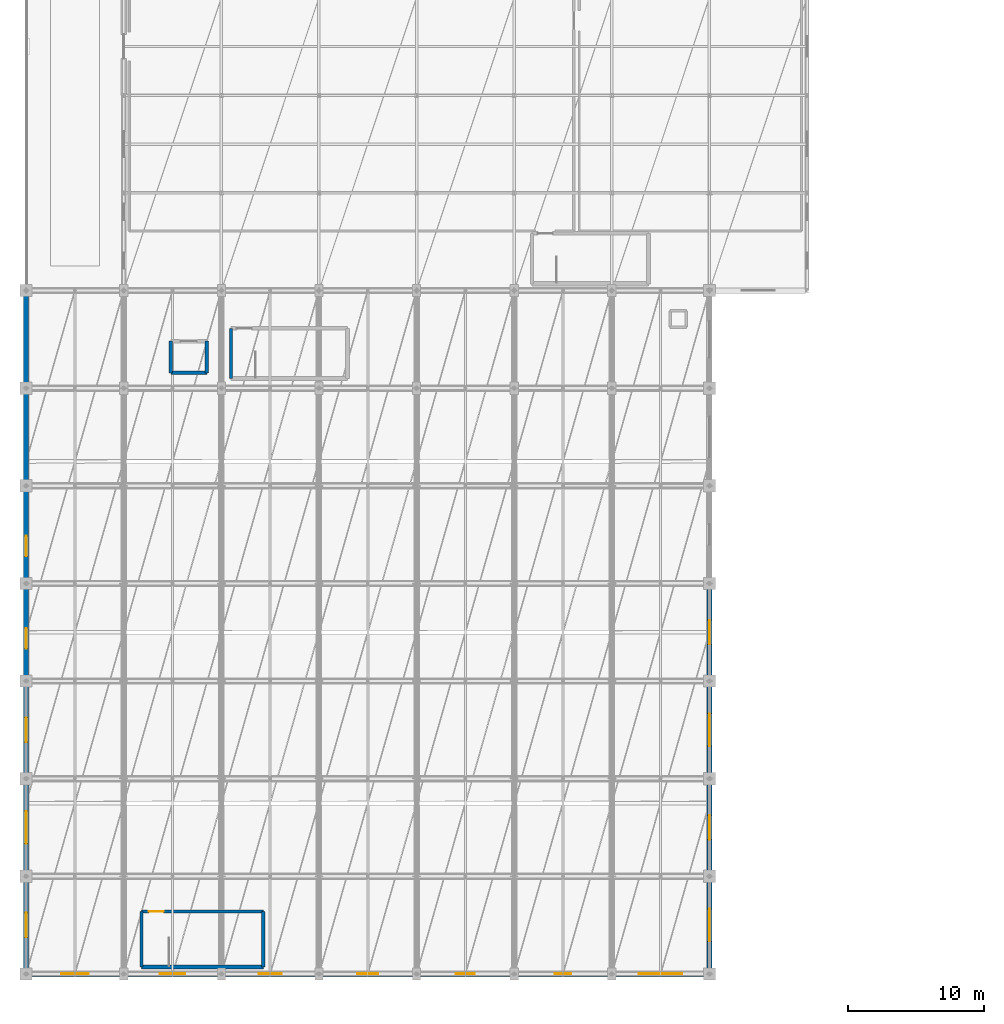
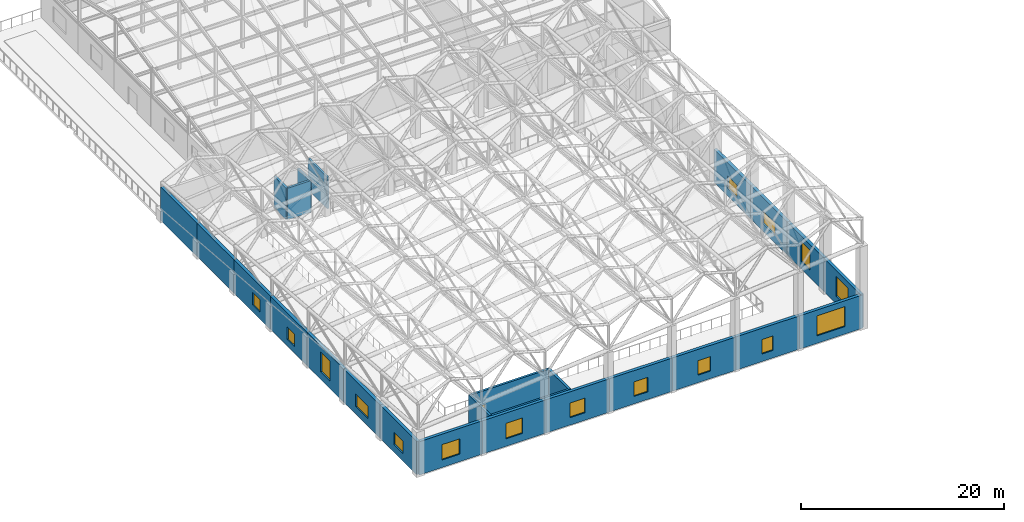
# One storey, part 86 of 113: 26 walls, 16 windows, 1 door, 17 openings.
"""IFC4 building model written with IfcOpenShell, lengths in metres."""

from ifc_helpers import new_model, si_unit, direction, frame, frame_2d, origin, place, context, subcontext, project, spatial, rectangle, extrude, material, layer, layer_set, type_object, element, fill, save


model = new_model("IFC4")

# Units and contexts
model_context = context("Model", 3, precision=1e-05, world=origin(), true_north=direction((0.0, 1.0)))
body_context = subcontext(model_context, "Body", "Model", "MODEL_VIEW")
ifc_project = project(units=[si_unit("LENGTHUNIT", "METRE"), si_unit("AREAUNIT", "SQUARE_METRE"), si_unit("VOLUMEUNIT", "CUBIC_METRE"), si_unit("PLANEANGLEUNIT", "RADIAN"), si_unit("MASSUNIT", "GRAM", prefix="KILO")], contexts=[model_context])

# Site, building, storey
site_placement = place(None, origin())
site = spatial("IfcSite", under=ifc_project, at=site_placement, CompositionType="ELEMENT")
building_placement = place(site_placement, origin())
building = spatial("IfcBuilding", under=site, at=building_placement, Name="Carrowvane Square Congress Hotel", CompositionType="ELEMENT")
storey_placement = place(building_placement, frame((0.0, 0.0, 15.0)))
storey = spatial("IfcBuildingStorey", under=building, at=storey_placement, Name="L03", CompositionType="ELEMENT", Elevation=15.0)

# Wall, opening, window
ifc_material_1 = material(Name="Portland limestone cladding", Category="masonry")
ifc_layer_1 = layer(ifc_material_1, 0.35009765625)
ifc_layer_set_1 = layer_set([ifc_layer_1], Name="Portland limestone cladding")
wall_type_1 = type_object("IfcWallType", Name="WL-EXT-LS350", PredefinedType="STANDARD", material=ifc_layer_set_1)
wall_1_placement = place(storey_placement, frame((11.60009765625, 5.39990234375, 0.0), z_axis=(0.0, 0.0, 1.0), x_axis=(0.0, 1.0, 0.0)))
wall_1 = element("IfcWall", 1, at=wall_1_placement, inside=storey, type_object=wall_type_1, Name="L03 exterior facade wall 336", PredefinedType="STANDARD", context=body_context, shape_type="SweptSolid", body=[
    extrude(rectangle(XDim=7.2001953125, YDim=0.35009765625, at=frame_2d((3.60009765625, 0.0))), origin(), (0.0, 0.0, 1.0), 4.0),
])
opening_1_placement = place(wall_1_placement, frame((2.699951171875, 0.0, 0.89990234375)))
opening_1 = element("IfcOpeningElement", 2, at=opening_1_placement, cuts=wall_1, Name="Opening W-16", PredefinedType="OPENING", context=body_context, shape_type="SweptSolid", body=[
    extrude(rectangle(XDim=1.800048828125, YDim=1.5, at=frame_2d((0.89990234375, 0.75))), frame((0.0, 0.18505859375, 0.0), z_axis=(0.0, -1.0, 0.0), x_axis=(1.0, 0.0, 0.0)), (0.0, 0.0, 1.0), 0.3701171875),
])
ifc_material_2 = material(Name="Double-glazed low-E glass", Category="glass")
window_type_1 = type_object("IfcWindowType", Name="WIN-16", PartitioningType="SINGLE_PANEL", PredefinedType="WINDOW", material=ifc_material_2)
window_1_placement = place(opening_1_placement, origin())
window_1 = element("IfcWindow", 3, at=window_1_placement, inside=storey, type_object=window_type_1, Name="L03 facade window 157", OverallHeight=1.5, OverallWidth=1.800048828125, PartitioningType="SINGLE_PANEL", PredefinedType="WINDOW", context=body_context, shape_type="SweptSolid", body=[
    extrude(rectangle(XDim=1.800048828125, YDim=1.5, at=frame_2d((0.89990234375, 0.75))), frame((0.0, 0.030029296875, 0.0), z_axis=(0.0, -1.0, 0.0), x_axis=(1.0, 0.0, 0.0)), (0.0, 0.0, 1.0), 0.06005859375),
])
fill(opening_1, window_1)

wall_2_placement = place(storey_placement, frame((11.60009765625, 12.60009765625, 0.0), z_axis=(0.0, 0.0, 1.0), x_axis=(0.0, 1.0, 0.0)))
wall_2 = element("IfcWall", 4, at=wall_2_placement, inside=storey, type_object=wall_type_1, Name="L03 exterior facade wall 337", PredefinedType="STANDARD", context=body_context, shape_type="SweptSolid", body=[
    extrude(rectangle(XDim=7.199951171875, YDim=0.35009765625, at=frame_2d((3.60009765625, 0.0))), origin(), (0.0, 0.0, 1.0), 4.0),
])
opening_2_placement = place(wall_2_placement, frame((2.39990234375, 0.0, 0.89990234375)))
opening_2 = element("IfcOpeningElement", 5, at=opening_2_placement, cuts=wall_2, Name="Opening W-17", PredefinedType="OPENING", context=body_context, shape_type="SweptSolid", body=[
    extrude(rectangle(XDim=2.39990234375, YDim=1.5, at=frame_2d((1.199951171875, 0.75))), frame((0.0, 0.18505859375, 0.0), z_axis=(0.0, -1.0, 0.0), x_axis=(1.0, 0.0, 0.0)), (0.0, 0.0, 1.0), 0.3701171875),
])
ifc_material_3 = material(Name="Double-glazed low-E glass", Category="glass")
window_type_2 = type_object("IfcWindowType", Name="WIN-17", PartitioningType="SINGLE_PANEL", PredefinedType="WINDOW", material=ifc_material_3)
window_2_placement = place(opening_2_placement, origin())
window_2 = element("IfcWindow", 6, at=window_2_placement, inside=storey, type_object=window_type_2, Name="L03 facade window 158", OverallHeight=1.5, OverallWidth=2.39990234375, PartitioningType="SINGLE_PANEL", PredefinedType="WINDOW", context=body_context, shape_type="SweptSolid", body=[
    extrude(rectangle(XDim=2.39990234375, YDim=1.5, at=frame_2d((1.199951171875, 0.75))), frame((0.0, 0.030029296875, 0.0), z_axis=(0.0, -1.0, 0.0), x_axis=(1.0, 0.0, 0.0)), (0.0, 0.0, 1.0), 0.06005859375),
])
fill(opening_2, window_2)

wall_3_placement = place(storey_placement, frame((11.60009765625, 19.800048828125, 0.0), z_axis=(0.0, 0.0, 1.0), x_axis=(0.0, 1.0, 0.0)))
wall_3 = element("IfcWall", 7, at=wall_3_placement, inside=storey, type_object=wall_type_1, Name="L03 exterior facade wall 338", PredefinedType="STANDARD", context=body_context, shape_type="SweptSolid", body=[
    extrude(rectangle(XDim=7.199951171875, YDim=0.35009765625, at=frame_2d((3.60009765625, 0.0))), origin(), (0.0, 0.0, 1.0), 4.0),
])
opening_3_placement = place(wall_3_placement, frame((2.699951171875, 0.0, 0.89990234375)))
opening_3 = element("IfcOpeningElement", 8, at=opening_3_placement, cuts=wall_3, Name="Opening W-18", PredefinedType="OPENING", context=body_context, shape_type="SweptSolid", body=[
    extrude(rectangle(XDim=1.800048828125, YDim=2.39990234375, at=frame_2d((0.89990234375, 1.199951171875))), frame((0.0, 0.18505859375, 0.0), z_axis=(0.0, -1.0, 0.0), x_axis=(1.0, 0.0, 0.0)), (0.0, 0.0, 1.0), 0.3701171875),
])
ifc_material_4 = material(Name="Double-glazed low-E glass", Category="glass")
window_type_3 = type_object("IfcWindowType", Name="WIN-18", PartitioningType="SINGLE_PANEL", PredefinedType="WINDOW", material=ifc_material_4)
window_3_placement = place(opening_3_placement, origin())
window_3 = element("IfcWindow", 9, at=window_3_placement, inside=storey, type_object=window_type_3, Name="L03 facade window 159", OverallHeight=2.39990234375, OverallWidth=1.800048828125, PartitioningType="SINGLE_PANEL", PredefinedType="WINDOW", context=body_context, shape_type="SweptSolid", body=[
    extrude(rectangle(XDim=1.800048828125, YDim=2.39990234375, at=frame_2d((0.89990234375, 1.199951171875))), frame((0.0, 0.030029296875, 0.0), z_axis=(0.0, -1.0, 0.0), x_axis=(1.0, 0.0, 0.0)), (0.0, 0.0, 1.0), 0.06005859375),
])
fill(opening_3, window_3)

wall_4_placement = place(storey_placement, frame((11.60009765625, 27.0, 0.0), z_axis=(0.0, 0.0, 1.0), x_axis=(0.0, 1.0, 0.0)))
wall_4 = element("IfcWall", 10, at=wall_4_placement, inside=storey, type_object=wall_type_1, Name="L03 exterior facade wall 339", PredefinedType="STANDARD", context=body_context, shape_type="SweptSolid", body=[
    extrude(rectangle(XDim=7.199951171875, YDim=0.35009765625, at=frame_2d((3.60009765625, 0.0))), origin(), (0.0, 0.0, 1.0), 4.0),
])
opening_4_placement = place(wall_4_placement, frame((2.39990234375, 0.0, 0.800048828125)))
opening_4 = element("IfcOpeningElement", 11, at=opening_4_placement, cuts=wall_4, Name="Opening W-15", PredefinedType="OPENING", context=body_context, shape_type="SweptSolid", body=[
    extrude(rectangle(XDim=1.5, YDim=1.5, at=frame_2d((0.75, 0.75))), frame((0.0, 0.18505859375, 0.0), z_axis=(0.0, -1.0, 0.0), x_axis=(1.0, 0.0, 0.0)), (0.0, 0.0, 1.0), 0.3701171875),
])
ifc_material_5 = material(Name="Double-glazed low-E glass", Category="glass")
window_type_4 = type_object("IfcWindowType", Name="WIN-15", PartitioningType="SINGLE_PANEL", PredefinedType="WINDOW", material=ifc_material_5)
window_4_placement = place(opening_4_placement, origin())
window_4 = element("IfcWindow", 12, at=window_4_placement, inside=storey, type_object=window_type_4, Name="L03 facade window 160", OverallHeight=1.5, OverallWidth=1.5, PartitioningType="SINGLE_PANEL", PredefinedType="WINDOW", context=body_context, shape_type="SweptSolid", body=[
    extrude(rectangle(XDim=1.5, YDim=1.5, at=frame_2d((0.75, 0.75))), frame((0.0, 0.030029296875, 0.0), z_axis=(0.0, -1.0, 0.0), x_axis=(1.0, 0.0, 0.0)), (0.0, 0.0, 1.0), 0.06005859375),
])
fill(opening_4, window_4)

wall_5_placement = place(storey_placement, frame((11.60009765625, 34.199951171875, 0.0), z_axis=(0.0, 0.0, 1.0), x_axis=(0.0, 1.0, 0.0)))
wall_5 = element("IfcWall", 13, at=wall_5_placement, inside=storey, type_object=wall_type_1, Name="L03 exterior facade wall 340", PredefinedType="STANDARD", context=body_context, shape_type="SweptSolid", body=[
    extrude(rectangle(XDim=7.199951171875, YDim=0.35009765625, at=frame_2d((3.60009765625, 0.0))), origin(), (0.0, 0.0, 1.0), 4.0),
])
opening_5_placement = place(wall_5_placement, frame((2.0, 0.0, 0.800048828125)))
opening_5 = element("IfcOpeningElement", 14, at=opening_5_placement, cuts=wall_5, Name="Opening W-15", PredefinedType="OPENING", context=body_context, shape_type="SweptSolid", body=[
    extrude(rectangle(XDim=1.5, YDim=1.5, at=frame_2d((0.75, 0.75))), frame((0.0, 0.18505859375, 0.0), z_axis=(0.0, -1.0, 0.0), x_axis=(1.0, 0.0, 0.0)), (0.0, 0.0, 1.0), 0.3701171875),
])
window_5_placement = place(opening_5_placement, origin())
window_5 = element("IfcWindow", 15, at=window_5_placement, inside=storey, type_object=window_type_4, Name="L03 facade window 161", OverallHeight=1.5, OverallWidth=1.5, PartitioningType="SINGLE_PANEL", PredefinedType="WINDOW", context=body_context, shape_type="SweptSolid", body=[
    extrude(rectangle(XDim=1.5, YDim=1.5, at=frame_2d((0.75, 0.75))), frame((0.0, 0.030029296875, 0.0), z_axis=(0.0, -1.0, 0.0), x_axis=(1.0, 0.0, 0.0)), (0.0, 0.0, 1.0), 0.06005859375),
])
fill(opening_5, window_5)

# Walls
wall_6_placement = place(storey_placement, frame((11.60009765625, 41.39990234375, 0.0), z_axis=(0.0, 0.0, 1.0), x_axis=(0.0, 1.0, 0.0)))
element("IfcWall", 16, at=wall_6_placement, inside=storey, type_object=wall_type_1, Name="L03 exterior facade wall 341", PredefinedType="STANDARD", context=body_context, shape_type="SweptSolid", body=[
    extrude(rectangle(XDim=7.2001953125, YDim=0.35009765625, at=frame_2d((3.60009765625, 0.0))), origin(), (0.0, 0.0, 1.0), 4.0),
])
wall_7_placement = place(storey_placement, frame((11.60009765625, 48.60009765625, 0.0), z_axis=(0.0, 0.0, 1.0), x_axis=(0.0, 1.0, 0.0)))
element("IfcWall", 17, at=wall_7_placement, inside=storey, type_object=wall_type_1, Name="L03 exterior facade wall 342", PredefinedType="STANDARD", context=body_context, shape_type="SweptSolid", body=[
    extrude(rectangle(XDim=7.199951171875, YDim=0.35009765625, at=frame_2d((3.60009765625, 0.0))), origin(), (0.0, 0.0, 1.0), 4.0),
])

# Wall, opening, window
wall_8_placement = place(storey_placement, frame((62.0, 34.199951171875, 0.0), z_axis=(0.0, 0.0, 1.0), x_axis=(0.0, -1.0, 0.0)))
wall_8 = element("IfcWall", 18, at=wall_8_placement, inside=storey, type_object=wall_type_1, Name="L03 exterior facade wall 408", PredefinedType="STANDARD", context=body_context, shape_type="SweptSolid", body=[
    extrude(rectangle(XDim=7.199951171875, YDim=0.35009765625, at=frame_2d((3.60009765625, 0.0))), origin(), (0.0, 0.0, 1.0), 4.0),
])
opening_6_placement = place(wall_8_placement, frame((2.699951171875, 0.0, 0.89990234375)))
opening_6 = element("IfcOpeningElement", 19, at=opening_6_placement, cuts=wall_8, Name="Opening W-16", PredefinedType="OPENING", context=body_context, shape_type="SweptSolid", body=[
    extrude(rectangle(XDim=1.800048828125, YDim=1.5, at=frame_2d((0.89990234375, 0.75))), frame((0.0, 0.18505859375, 0.0), z_axis=(0.0, -1.0, 0.0), x_axis=(1.0, 0.0, 0.0)), (0.0, 0.0, 1.0), 0.3701171875),
])
window_6_placement = place(opening_6_placement, origin())
window_6 = element("IfcWindow", 20, at=window_6_placement, inside=storey, type_object=window_type_1, Name="L03 facade window 240", OverallHeight=1.5, OverallWidth=1.800048828125, PartitioningType="SINGLE_PANEL", PredefinedType="WINDOW", context=body_context, shape_type="SweptSolid", body=[
    extrude(rectangle(XDim=1.800048828125, YDim=1.5, at=frame_2d((0.89990234375, 0.75))), frame((0.0, 0.030029296875, 0.0), z_axis=(0.0, -1.0, 0.0), x_axis=(1.0, 0.0, 0.0)), (0.0, 0.0, 1.0), 0.06005859375),
])
fill(opening_6, window_6)

wall_9_placement = place(storey_placement, frame((62.0, 27.0, 0.0), z_axis=(0.0, 0.0, 1.0), x_axis=(0.0, -1.0, 0.0)))
wall_9 = element("IfcWall", 21, at=wall_9_placement, inside=storey, type_object=wall_type_1, Name="L03 exterior facade wall 409", PredefinedType="STANDARD", context=body_context, shape_type="SweptSolid", body=[
    extrude(rectangle(XDim=7.199951171875, YDim=0.35009765625, at=frame_2d((3.60009765625, 0.0))), origin(), (0.0, 0.0, 1.0), 4.0),
])
opening_7_placement = place(wall_9_placement, frame((2.39990234375, 0.0, 0.89990234375)))
opening_7 = element("IfcOpeningElement", 22, at=opening_7_placement, cuts=wall_9, Name="Opening W-17", PredefinedType="OPENING", context=body_context, shape_type="SweptSolid", body=[
    extrude(rectangle(XDim=2.39990234375, YDim=1.5, at=frame_2d((1.199951171875, 0.75))), frame((0.0, 0.18505859375, 0.0), z_axis=(0.0, -1.0, 0.0), x_axis=(1.0, 0.0, 0.0)), (0.0, 0.0, 1.0), 0.3701171875),
])
window_7_placement = place(opening_7_placement, origin())
window_7 = element("IfcWindow", 23, at=window_7_placement, inside=storey, type_object=window_type_2, Name="L03 facade window 241", OverallHeight=1.5, OverallWidth=2.39990234375, PartitioningType="SINGLE_PANEL", PredefinedType="WINDOW", context=body_context, shape_type="SweptSolid", body=[
    extrude(rectangle(XDim=2.39990234375, YDim=1.5, at=frame_2d((1.199951171875, 0.75))), frame((0.0, 0.030029296875, 0.0), z_axis=(0.0, -1.0, 0.0), x_axis=(1.0, 0.0, 0.0)), (0.0, 0.0, 1.0), 0.06005859375),
])
fill(opening_7, window_7)

wall_10_placement = place(storey_placement, frame((62.0, 19.800048828125, 0.0), z_axis=(0.0, 0.0, 1.0), x_axis=(0.0, -1.0, 0.0)))
wall_10 = element("IfcWall", 24, at=wall_10_placement, inside=storey, type_object=wall_type_1, Name="L03 exterior facade wall 410", PredefinedType="STANDARD", context=body_context, shape_type="SweptSolid", body=[
    extrude(rectangle(XDim=7.199951171875, YDim=0.35009765625, at=frame_2d((3.60009765625, 0.0))), origin(), (0.0, 0.0, 1.0), 4.0),
])
opening_8_placement = place(wall_10_placement, frame((2.699951171875, 0.0, 0.89990234375)))
opening_8 = element("IfcOpeningElement", 25, at=opening_8_placement, cuts=wall_10, Name="Opening W-18", PredefinedType="OPENING", context=body_context, shape_type="SweptSolid", body=[
    extrude(rectangle(XDim=1.800048828125, YDim=2.39990234375, at=frame_2d((0.89990234375, 1.199951171875))), frame((0.0, 0.18505859375, 0.0), z_axis=(0.0, -1.0, 0.0), x_axis=(1.0, 0.0, 0.0)), (0.0, 0.0, 1.0), 0.3701171875),
])
window_8_placement = place(opening_8_placement, origin())
window_8 = element("IfcWindow", 26, at=window_8_placement, inside=storey, type_object=window_type_3, Name="L03 facade window 242", OverallHeight=2.39990234375, OverallWidth=1.800048828125, PartitioningType="SINGLE_PANEL", PredefinedType="WINDOW", context=body_context, shape_type="SweptSolid", body=[
    extrude(rectangle(XDim=1.800048828125, YDim=2.39990234375, at=frame_2d((0.89990234375, 1.199951171875))), frame((0.0, 0.030029296875, 0.0), z_axis=(0.0, -1.0, 0.0), x_axis=(1.0, 0.0, 0.0)), (0.0, 0.0, 1.0), 0.06005859375),
])
fill(opening_8, window_8)

wall_11_placement = place(storey_placement, frame((62.0, 12.60009765625, 0.0), z_axis=(0.0, 0.0, 1.0), x_axis=(0.0, -1.0, 0.0)))
wall_11 = element("IfcWall", 27, at=wall_11_placement, inside=storey, type_object=wall_type_1, Name="L03 exterior facade wall 411", PredefinedType="STANDARD", context=body_context, shape_type="SweptSolid", body=[
    extrude(rectangle(XDim=7.2001953125, YDim=0.35009765625, at=frame_2d((3.60009765625, 0.0))), origin(), (0.0, 0.0, 1.0), 4.0),
])
opening_9_placement = place(wall_11_placement, frame((2.39990234375, 0.0, 0.89990234375)))
opening_9 = element("IfcOpeningElement", 28, at=opening_9_placement, cuts=wall_11, Name="Opening W-19", PredefinedType="OPENING", context=body_context, shape_type="SweptSolid", body=[
    extrude(rectangle(XDim=2.39990234375, YDim=2.39990234375, at=frame_2d((1.199951171875, 1.199951171875))), frame((0.0, 0.18505859375, 0.0), z_axis=(0.0, -1.0, 0.0), x_axis=(1.0, 0.0, 0.0)), (0.0, 0.0, 1.0), 0.3701171875),
])
ifc_material_6 = material(Name="Double-glazed low-E glass", Category="glass")
window_type_5 = type_object("IfcWindowType", Name="WIN-19", PartitioningType="SINGLE_PANEL", PredefinedType="WINDOW", material=ifc_material_6)
window_9_placement = place(opening_9_placement, origin())
window_9 = element("IfcWindow", 29, at=window_9_placement, inside=storey, type_object=window_type_5, Name="L03 facade window 243", OverallHeight=2.39990234375, OverallWidth=2.39990234375, PartitioningType="SINGLE_PANEL", PredefinedType="WINDOW", context=body_context, shape_type="SweptSolid", body=[
    extrude(rectangle(XDim=2.39990234375, YDim=2.39990234375, at=frame_2d((1.199951171875, 1.199951171875))), frame((0.0, 0.030029296875, 0.0), z_axis=(0.0, -1.0, 0.0), x_axis=(1.0, 0.0, 0.0)), (0.0, 0.0, 1.0), 0.06005859375),
])
fill(opening_9, window_9)

wall_12_placement = place(storey_placement, frame((62.0, 5.39990234375, 0.0), z_axis=(0.0, 0.0, 1.0), x_axis=(-1.0, 0.0, 0.0)))
wall_12 = element("IfcWall", 30, at=wall_12_placement, inside=storey, type_object=wall_type_1, Name="L03 exterior facade wall 412", PredefinedType="STANDARD", context=body_context, shape_type="SweptSolid", body=[
    extrude(rectangle(XDim=7.199951171875, YDim=0.35009765625, at=frame_2d((3.60009765625, 0.0))), origin(), (0.0, 0.0, 1.0), 4.0),
])
opening_10_placement = place(wall_12_placement, frame((2.0, 0.0, 0.89990234375)))
opening_10 = element("IfcOpeningElement", 31, at=opening_10_placement, cuts=wall_12, Name="Opening W-20", PredefinedType="OPENING", context=body_context, shape_type="SweptSolid", body=[
    extrude(rectangle(XDim=3.199951171875, YDim=2.39990234375, at=frame_2d((1.60009765625, 1.199951171875))), frame((0.0, 0.18505859375, 0.0), z_axis=(0.0, -1.0, 0.0), x_axis=(1.0, 0.0, 0.0)), (0.0, 0.0, 1.0), 0.3701171875),
])
ifc_material_7 = material(Name="Double-glazed low-E glass", Category="glass")
window_type_6 = type_object("IfcWindowType", Name="WIN-20", PartitioningType="SINGLE_PANEL", PredefinedType="WINDOW", material=ifc_material_7)
window_10_placement = place(opening_10_placement, origin())
window_10 = element("IfcWindow", 32, at=window_10_placement, inside=storey, type_object=window_type_6, Name="L03 facade window 244", OverallHeight=2.39990234375, OverallWidth=3.199951171875, PartitioningType="SINGLE_PANEL", PredefinedType="WINDOW", context=body_context, shape_type="SweptSolid", body=[
    extrude(rectangle(XDim=3.199951171875, YDim=2.39990234375, at=frame_2d((1.60009765625, 1.199951171875))), frame((0.0, 0.030029296875, 0.0), z_axis=(0.0, -1.0, 0.0), x_axis=(1.0, 0.0, 0.0)), (0.0, 0.0, 1.0), 0.06005859375),
])
fill(opening_10, window_10)

wall_13_placement = place(storey_placement, frame((54.800048828125, 5.39990234375, 0.0), z_axis=(0.0, 0.0, 1.0), x_axis=(-1.0, 0.0, 0.0)))
wall_13 = element("IfcWall", 33, at=wall_13_placement, inside=storey, type_object=wall_type_1, Name="L03 exterior facade wall 413", PredefinedType="STANDARD", context=body_context, shape_type="SweptSolid", body=[
    extrude(rectangle(XDim=7.199951171875, YDim=0.35009765625, at=frame_2d((3.60009765625, 0.0))), origin(), (0.0, 0.0, 1.0), 4.0),
])
opening_11_placement = place(wall_13_placement, frame((2.97509765625, 0.0, 0.89990234375)))
opening_11 = element("IfcOpeningElement", 34, at=opening_11_placement, cuts=wall_13, Name="Opening W-21", PredefinedType="OPENING", context=body_context, shape_type="SweptSolid", body=[
    extrude(rectangle(XDim=1.25, YDim=1.75, at=frame_2d((0.625, 0.875))), frame((0.0, 0.18505859375, 0.0), z_axis=(0.0, -1.0, 0.0), x_axis=(1.0, 0.0, 0.0)), (0.0, 0.0, 1.0), 0.3701171875),
])
ifc_material_8 = material(Name="Double-glazed low-E glass", Category="glass")
window_type_7 = type_object("IfcWindowType", Name="WIN-21", PartitioningType="SINGLE_PANEL", PredefinedType="WINDOW", material=ifc_material_8)
window_11_placement = place(opening_11_placement, origin())
window_11 = element("IfcWindow", 35, at=window_11_placement, inside=storey, type_object=window_type_7, Name="L03 facade window 245", OverallHeight=1.75, OverallWidth=1.25, PartitioningType="SINGLE_PANEL", PredefinedType="WINDOW", context=body_context, shape_type="SweptSolid", body=[
    extrude(rectangle(XDim=1.25, YDim=1.75, at=frame_2d((0.625, 0.875))), frame((0.0, 0.030029296875, 0.0), z_axis=(0.0, -1.0, 0.0), x_axis=(1.0, 0.0, 0.0)), (0.0, 0.0, 1.0), 0.06005859375),
])
fill(opening_11, window_11)

wall_14_placement = place(storey_placement, frame((47.60009765625, 5.39990234375, 0.0), z_axis=(0.0, 0.0, 1.0), x_axis=(-1.0, 0.0, 0.0)))
wall_14 = element("IfcWall", 36, at=wall_14_placement, inside=storey, type_object=wall_type_1, Name="L03 exterior facade wall 414", PredefinedType="STANDARD", context=body_context, shape_type="SweptSolid", body=[
    extrude(rectangle(XDim=7.2001953125, YDim=0.35009765625, at=frame_2d((3.60009765625, 0.0))), origin(), (0.0, 0.0, 1.0), 4.0),
])
opening_12_placement = place(wall_14_placement, frame((2.89990234375, 0.0, 0.89990234375)))
opening_12 = element("IfcOpeningElement", 37, at=opening_12_placement, cuts=wall_14, Name="Opening W-22", PredefinedType="OPENING", context=body_context, shape_type="SweptSolid", body=[
    extrude(rectangle(XDim=1.39990234375, YDim=1.75, at=frame_2d((0.699951171875, 0.875))), frame((0.0, 0.18505859375, 0.0), z_axis=(0.0, -1.0, 0.0), x_axis=(1.0, 0.0, 0.0)), (0.0, 0.0, 1.0), 0.3701171875),
])
ifc_material_9 = material(Name="Double-glazed low-E glass", Category="glass")
window_type_8 = type_object("IfcWindowType", Name="WIN-22", PartitioningType="SINGLE_PANEL", PredefinedType="WINDOW", material=ifc_material_9)
window_12_placement = place(opening_12_placement, origin())
window_12 = element("IfcWindow", 38, at=window_12_placement, inside=storey, type_object=window_type_8, Name="L03 facade window 246", OverallHeight=1.75, OverallWidth=1.39990234375, PartitioningType="SINGLE_PANEL", PredefinedType="WINDOW", context=body_context, shape_type="SweptSolid", body=[
    extrude(rectangle(XDim=1.39990234375, YDim=1.75, at=frame_2d((0.699951171875, 0.875))), frame((0.0, 0.030029296875, 0.0), z_axis=(0.0, -1.0, 0.0), x_axis=(1.0, 0.0, 0.0)), (0.0, 0.0, 1.0), 0.06005859375),
])
fill(opening_12, window_12)

wall_15_placement = place(storey_placement, frame((40.39990234375, 5.39990234375, 0.0), z_axis=(0.0, 0.0, 1.0), x_axis=(-1.0, 0.0, 0.0)))
wall_15 = element("IfcWall", 39, at=wall_15_placement, inside=storey, type_object=wall_type_1, Name="L03 exterior facade wall 415", PredefinedType="STANDARD", context=body_context, shape_type="SweptSolid", body=[
    extrude(rectangle(XDim=7.199951171875, YDim=0.35009765625, at=frame_2d((3.60009765625, 0.0))), origin(), (0.0, 0.0, 1.0), 4.0),
])
opening_13_placement = place(wall_15_placement, frame((2.824951171875, 0.0, 0.89990234375)))
opening_13 = element("IfcOpeningElement", 40, at=opening_13_placement, cuts=wall_15, Name="Opening W-23", PredefinedType="OPENING", context=body_context, shape_type="SweptSolid", body=[
    extrude(rectangle(XDim=1.550048828125, YDim=1.75, at=frame_2d((0.77490234375, 0.875))), frame((0.0, 0.18505859375, 0.0), z_axis=(0.0, -1.0, 0.0), x_axis=(1.0, 0.0, 0.0)), (0.0, 0.0, 1.0), 0.3701171875),
])
ifc_material_10 = material(Name="Double-glazed low-E glass", Category="glass")
window_type_9 = type_object("IfcWindowType", Name="WIN-23", PartitioningType="SINGLE_PANEL", PredefinedType="WINDOW", material=ifc_material_10)
window_13_placement = place(opening_13_placement, origin())
window_13 = element("IfcWindow", 41, at=window_13_placement, inside=storey, type_object=window_type_9, Name="L03 facade window 247", OverallHeight=1.75, OverallWidth=1.550048828125, PartitioningType="SINGLE_PANEL", PredefinedType="WINDOW", context=body_context, shape_type="SweptSolid", body=[
    extrude(rectangle(XDim=1.550048828125, YDim=1.75, at=frame_2d((0.77490234375, 0.875))), frame((0.0, 0.030029296875, 0.0), z_axis=(0.0, -1.0, 0.0), x_axis=(1.0, 0.0, 0.0)), (0.0, 0.0, 1.0), 0.06005859375),
])
fill(opening_13, window_13)

wall_16_placement = place(storey_placement, frame((33.199951171875, 5.39990234375, 0.0), z_axis=(0.0, 0.0, 1.0), x_axis=(-1.0, 0.0, 0.0)))
wall_16 = element("IfcWall", 42, at=wall_16_placement, inside=storey, type_object=wall_type_1, Name="L03 exterior facade wall 416", PredefinedType="STANDARD", context=body_context, shape_type="SweptSolid", body=[
    extrude(rectangle(XDim=7.199951171875, YDim=0.35009765625, at=frame_2d((3.60009765625, 0.0))), origin(), (0.0, 0.0, 1.0), 4.0),
])
opening_14_placement = place(wall_16_placement, frame((2.75, 0.0, 0.89990234375)))
opening_14 = element("IfcOpeningElement", 43, at=opening_14_placement, cuts=wall_16, Name="Opening W-24", PredefinedType="OPENING", context=body_context, shape_type="SweptSolid", body=[
    extrude(rectangle(XDim=1.699951171875, YDim=1.75, at=frame_2d((0.85009765625, 0.875))), frame((0.0, 0.18505859375, 0.0), z_axis=(0.0, -1.0, 0.0), x_axis=(1.0, 0.0, 0.0)), (0.0, 0.0, 1.0), 0.3701171875),
])
ifc_material_11 = material(Name="Double-glazed low-E glass", Category="glass")
window_type_10 = type_object("IfcWindowType", Name="WIN-24", PartitioningType="SINGLE_PANEL", PredefinedType="WINDOW", material=ifc_material_11)
window_14_placement = place(opening_14_placement, origin())
window_14 = element("IfcWindow", 44, at=window_14_placement, inside=storey, type_object=window_type_10, Name="L03 facade window 248", OverallHeight=1.75, OverallWidth=1.699951171875, PartitioningType="SINGLE_PANEL", PredefinedType="WINDOW", context=body_context, shape_type="SweptSolid", body=[
    extrude(rectangle(XDim=1.699951171875, YDim=1.75, at=frame_2d((0.85009765625, 0.875))), frame((0.0, 0.030029296875, 0.0), z_axis=(0.0, -1.0, 0.0), x_axis=(1.0, 0.0, 0.0)), (0.0, 0.0, 1.0), 0.06005859375),
])
fill(opening_14, window_14)

wall_17_placement = place(storey_placement, frame((26.0, 5.39990234375, 0.0), z_axis=(0.0, 0.0, 1.0), x_axis=(-1.0, 0.0, 0.0)))
wall_17 = element("IfcWall", 45, at=wall_17_placement, inside=storey, type_object=wall_type_1, Name="L03 exterior facade wall 417", PredefinedType="STANDARD", context=body_context, shape_type="SweptSolid", body=[
    extrude(rectangle(XDim=7.199951171875, YDim=0.35009765625, at=frame_2d((3.60009765625, 0.0))), origin(), (0.0, 0.0, 1.0), 4.0),
])
opening_15_placement = place(wall_17_placement, frame((2.64990234375, 0.0, 0.89990234375)))
opening_15 = element("IfcOpeningElement", 46, at=opening_15_placement, cuts=wall_17, Name="Opening W-25", PredefinedType="OPENING", context=body_context, shape_type="SweptSolid", body=[
    extrude(rectangle(XDim=1.89990234375, YDim=1.85009765625, at=frame_2d((0.949951171875, 0.925048828125))), frame((0.0, 0.18505859375, 0.0), z_axis=(0.0, -1.0, 0.0), x_axis=(1.0, 0.0, 0.0)), (0.0, 0.0, 1.0), 0.3701171875),
])
ifc_material_12 = material(Name="Double-glazed low-E glass", Category="glass")
window_type_11 = type_object("IfcWindowType", Name="WIN-25", PartitioningType="SINGLE_PANEL", PredefinedType="WINDOW", material=ifc_material_12)
window_15_placement = place(opening_15_placement, origin())
window_15 = element("IfcWindow", 47, at=window_15_placement, inside=storey, type_object=window_type_11, Name="L03 facade window 249", OverallHeight=1.85009765625, OverallWidth=1.89990234375, PartitioningType="SINGLE_PANEL", PredefinedType="WINDOW", context=body_context, shape_type="SweptSolid", body=[
    extrude(rectangle(XDim=1.89990234375, YDim=1.85009765625, at=frame_2d((0.949951171875, 0.925048828125))), frame((0.0, 0.030029296875, 0.0), z_axis=(0.0, -1.0, 0.0), x_axis=(1.0, 0.0, 0.0)), (0.0, 0.0, 1.0), 0.06005859375),
])
fill(opening_15, window_15)

wall_18_placement = place(storey_placement, frame((18.800048828125, 5.39990234375, 0.0), z_axis=(0.0, 0.0, 1.0), x_axis=(-1.0, 0.0, 0.0)))
wall_18 = element("IfcWall", 48, at=wall_18_placement, inside=storey, type_object=wall_type_1, Name="L03 exterior facade wall 418", PredefinedType="STANDARD", context=body_context, shape_type="SweptSolid", body=[
    extrude(rectangle(XDim=7.199951171875, YDim=0.35009765625, at=frame_2d((3.60009765625, 0.0))), origin(), (0.0, 0.0, 1.0), 4.0),
])
opening_16_placement = place(wall_18_placement, frame((2.574951171875, 0.0, 0.89990234375)))
opening_16 = element("IfcOpeningElement", 49, at=opening_16_placement, cuts=wall_18, Name="Opening W-26", PredefinedType="OPENING", context=body_context, shape_type="SweptSolid", body=[
    extrude(rectangle(XDim=2.050048828125, YDim=1.85009765625, at=frame_2d((1.02490234375, 0.925048828125))), frame((0.0, 0.18505859375, 0.0), z_axis=(0.0, -1.0, 0.0), x_axis=(1.0, 0.0, 0.0)), (0.0, 0.0, 1.0), 0.3701171875),
])
ifc_material_13 = material(Name="Double-glazed low-E glass", Category="glass")
window_type_12 = type_object("IfcWindowType", Name="WIN-26", PartitioningType="SINGLE_PANEL", PredefinedType="WINDOW", material=ifc_material_13)
window_16_placement = place(opening_16_placement, origin())
window_16 = element("IfcWindow", 50, at=window_16_placement, inside=storey, type_object=window_type_12, Name="L03 facade window 250", OverallHeight=1.85009765625, OverallWidth=2.050048828125, PartitioningType="SINGLE_PANEL", PredefinedType="WINDOW", context=body_context, shape_type="SweptSolid", body=[
    extrude(rectangle(XDim=2.050048828125, YDim=1.85009765625, at=frame_2d((1.02490234375, 0.925048828125))), frame((0.0, 0.030029296875, 0.0), z_axis=(0.0, -1.0, 0.0), x_axis=(1.0, 0.0, 0.0)), (0.0, 0.0, 1.0), 0.06005859375),
])
fill(opening_16, window_16)

# Walls
ifc_material_14 = material(Name="Concrete C40/50", Category="concrete")
ifc_layer_2 = layer(ifc_material_14, 0.22509765625)
ifc_layer_set_2 = layer_set([ifc_layer_2], Name="Concrete C40/50")
wall_type_2 = type_object("IfcWallType", Name="WL-SHR-225", PredefinedType="SHEAR", material=ifc_layer_set_2)
wall_19_placement = place(storey_placement, frame((26.699951171875, 53.02001953125, 0.0), z_axis=(0.0, 0.0, 1.0), x_axis=(0.0, -1.0, 0.0)))
element("IfcWall", 51, at=wall_19_placement, inside=storey, type_object=wall_type_2, Name="L03 ST6 core wall west", PredefinedType="SHEAR", context=body_context, shape_type="SweptSolid", body=[
    extrude(rectangle(XDim=3.719970703125, YDim=0.22509765625, at=frame_2d((1.85986328125, 0.0))), origin(), (0.0, 0.0, 1.0), 3.800048828125),
])
wall_20_placement = place(storey_placement, frame((20.10009765625, 10.0, 0.0), z_axis=(0.0, 0.0, 1.0), x_axis=(0.0, -1.0, 0.0)))
element("IfcWall", 52, at=wall_20_placement, inside=storey, type_object=wall_type_2, Name="L03 ST9 core wall west", PredefinedType="SHEAR", context=body_context, shape_type="SweptSolid", body=[
    extrude(rectangle(XDim=4.10009765625, YDim=0.22509765625, at=frame_2d((2.050048828125, 0.0))), origin(), (0.0, 0.0, 1.0), 3.800048828125),
])

# Wall, opening, door
ifc_material_15 = material(Name="Concrete C40/50", Category="concrete")
ifc_layer_3 = layer(ifc_material_15, 0.25)
ifc_layer_set_3 = layer_set([ifc_layer_3], Name="Concrete C40/50")
wall_type_3 = type_object("IfcWallType", Name="WL-SHR-250", PredefinedType="SHEAR", material=ifc_layer_set_3)
wall_21_placement = place(storey_placement, frame((29.10009765625, 10.0, 0.0), z_axis=(0.0, 0.0, 1.0), x_axis=(-1.0, 0.0, 0.0)))
wall_21 = element("IfcWall", 53, at=wall_21_placement, inside=storey, type_object=wall_type_3, Name="L03 ST9 core wall north", PredefinedType="SHEAR", context=body_context, shape_type="SweptSolid", body=[
    extrude(rectangle(XDim=9.0, YDim=0.25, at=frame_2d((4.5, 0.0))), origin(), (0.0, 0.0, 1.0), 3.800048828125),
])
opening_17_placement = place(wall_21_placement, frame((7.35009765625, 0.0, 0.0)))
opening_17 = element("IfcOpeningElement", 54, at=opening_17_placement, cuts=wall_21, Name="Opening FD-01", PredefinedType="OPENING", context=body_context, shape_type="SweptSolid", body=[
    extrude(rectangle(XDim=1.10009765625, YDim=2.10009765625, at=frame_2d((0.550048828125, 1.050048828125))), frame((0.0, 0.135009765625, 0.0), z_axis=(0.0, -1.0, 0.0), x_axis=(1.0, 0.0, 0.0)), (0.0, 0.0, 1.0), 0.27001953125),
])
ifc_material_16 = material(Name="European oak timber", Category="wood")
door_type = type_object("IfcDoorType", Name="DR-FD60-1100x2100", OperationType="NOTDEFINED", PredefinedType="DOOR", material=ifc_material_16)
door_placement = place(opening_17_placement, origin())
door = element("IfcDoor", 55, at=door_placement, inside=storey, type_object=door_type, Name="L03 ST9 fire door", OperationType="SINGLE_SWING_LEFT", OverallHeight=2.10009765625, OverallWidth=1.10009765625, PredefinedType="DOOR", context=body_context, shape_type="SweptSolid", body=[
    extrude(rectangle(XDim=1.10009765625, YDim=2.10009765625, at=frame_2d((0.550048828125, 1.050048828125))), frame((0.0, 0.02490234375, 0.0), z_axis=(0.0, -1.0, 0.0), x_axis=(1.0, 0.0, 0.0)), (0.0, 0.0, 1.0), 0.050048828125),
])
fill(opening_17, door)

# Walls
wall_22_placement = place(storey_placement, frame((22.27490234375, 49.72509765625, 0.0), z_axis=(0.0, 0.0, 1.0), x_axis=(1.0, 0.0, 0.0)))
element("IfcWall", 56, at=wall_22_placement, inside=storey, type_object=wall_type_3, Name="L03 CL-1 shaft wall south", PredefinedType="SHEAR", context=body_context, shape_type="SweptSolid", body=[
    extrude(rectangle(XDim=2.650146484375, YDim=0.25, at=frame_2d((1.3251953125, 0.0))), origin(), (0.0, 0.0, 1.0), 3.800048828125),
])
for number, where, z_axis, x_axis, name in (
    (57, (24.925048828125, 49.72509765625, 0.0), (0.0, 0.0, 1.0), (0.0, 1.0, 0.0), "L03 CL-1 shaft wall east"),
    (58, (22.27490234375, 52.074951171875, 0.0), (0.0, 0.0, 1.0), (0.0, -1.0, 0.0), "L03 CL-1 shaft wall west"),
):
    element("IfcWall", number, at=place(storey_placement, frame(where, z_axis=z_axis, x_axis=x_axis)), inside=storey, type_object=wall_type_3, Name=name, PredefinedType="SHEAR", context=body_context, shape_type="SweptSolid", body=[
        extrude(rectangle(XDim=2.349853515625, YDim=0.25, at=frame_2d((1.1748046875, 0.0))), origin(), (0.0, 0.0, 1.0), 3.800048828125),
    ])
ifc_material_17 = material(Name="Concrete C40/50", Category="concrete")
ifc_layer_4 = layer(ifc_material_17, 0.27490234375)
ifc_layer_set_4 = layer_set([ifc_layer_4], Name="Concrete C40/50")
wall_type_4 = type_object("IfcWallType", Name="WL-SHR-275", PredefinedType="SHEAR", material=ifc_layer_set_4)
wall_23_placement = place(storey_placement, frame((29.10009765625, 5.89990234375, 0.0), z_axis=(0.0, 0.0, 1.0), x_axis=(0.0, 1.0, 0.0)))
element("IfcWall", 59, at=wall_23_placement, inside=storey, type_object=wall_type_4, Name="L03 ST9 core wall east", PredefinedType="SHEAR", context=body_context, shape_type="SweptSolid", body=[
    extrude(rectangle(XDim=4.10009765625, YDim=0.27490234375, at=frame_2d((2.050048828125, 0.0))), origin(), (0.0, 0.0, 1.0), 3.800048828125),
])
ifc_material_18 = material(Name="Concrete C40/50", Category="concrete")
ifc_layer_5 = layer(ifc_material_18, 0.300048828125)
ifc_layer_set_5 = layer_set([ifc_layer_5], Name="Concrete C40/50")
wall_type_5 = type_object("IfcWallType", Name="WL-SHR-300", PredefinedType="SHEAR", material=ifc_layer_set_5)
wall_24_placement = place(storey_placement, frame((20.10009765625, 5.89990234375, 0.0), z_axis=(0.0, 0.0, 1.0), x_axis=(1.0, 0.0, 0.0)))
element("IfcWall", 60, at=wall_24_placement, inside=storey, type_object=wall_type_5, Name="L03 ST9 core wall south", PredefinedType="SHEAR", context=body_context, shape_type="SweptSolid", body=[
    extrude(rectangle(XDim=9.0, YDim=0.300048828125, at=frame_2d((4.5, 0.0))), origin(), (0.0, 0.0, 1.0), 3.800048828125),
])

save(model, "model.ifc")
